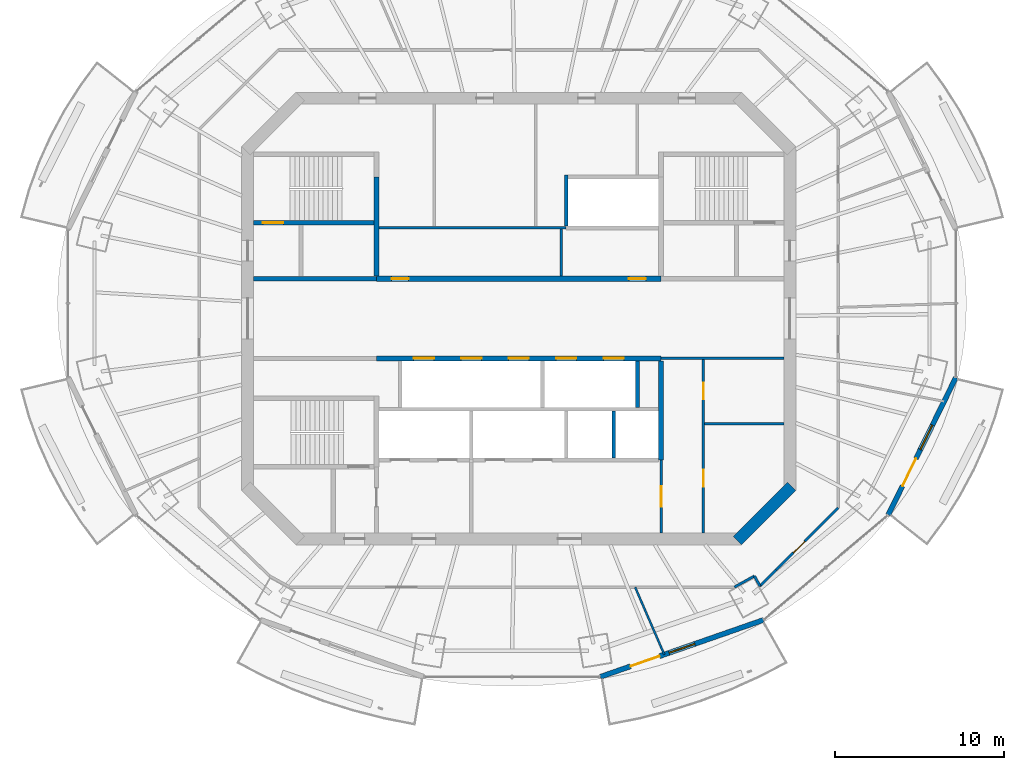
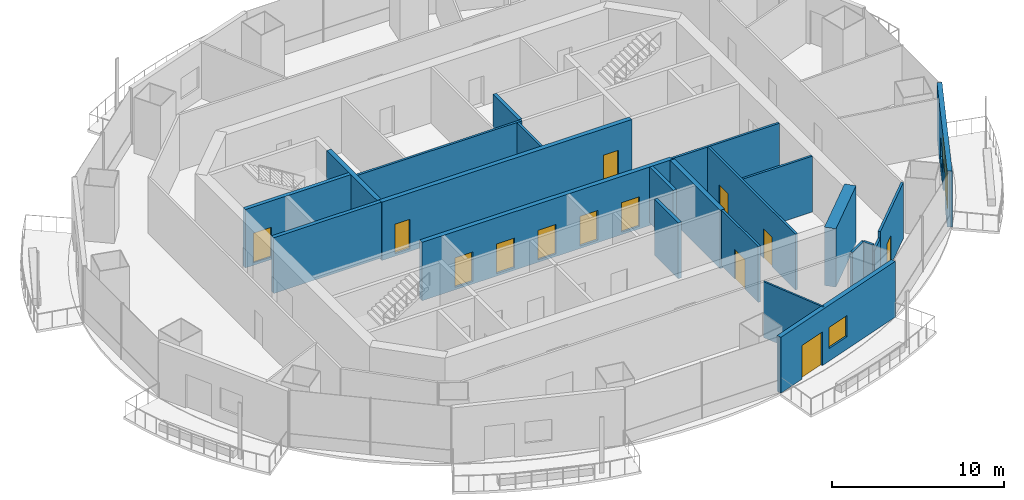
# One storey, part 9 of 16: 23 walls, 14 doors, 2 windows, 16 openings.
"""IFC4 building model written with IfcOpenShell, lengths in metres."""

from ifc_helpers import new_model, si_unit, direction, frame, frame_2d, origin, place, context, subcontext, project, spatial, rectangle, extrude, material, layer, layer_set, type_object, element, fill, save


model = new_model("IFC4")

# Units and contexts
model_context = context("Model", 3, precision=1e-05, world=origin(), true_north=direction((0.0, 1.0)))
body_context = subcontext(model_context, "Body", "Model", "MODEL_VIEW")
ifc_project = project(units=[si_unit("LENGTHUNIT", "METRE"), si_unit("AREAUNIT", "SQUARE_METRE"), si_unit("VOLUMEUNIT", "CUBIC_METRE"), si_unit("PLANEANGLEUNIT", "RADIAN"), si_unit("MASSUNIT", "GRAM", prefix="KILO")], contexts=[model_context])

# Site, building, storey
site_placement = place(None, origin())
site = spatial("IfcSite", under=ifc_project, at=site_placement, CompositionType="ELEMENT")
building_placement = place(site_placement, origin())
building = spatial("IfcBuilding", under=site, at=building_placement, Name="Marenthal Gate Tower", CompositionType="ELEMENT")
storey_placement = place(building_placement, frame((0.0, 0.0, 346.75)))
storey = spatial("IfcBuildingStorey", under=building, at=storey_placement, Name="L78", CompositionType="ELEMENT", Elevation=346.75)

# Wall
ifc_material_1 = material(Name="Concrete 60 MPa", Category="concrete")
ifc_layer_1 = layer(ifc_material_1, 0.699951171875)
ifc_layer_set_1 = layer_set([ifc_layer_1], Name="Core shear wall 700")
wall_type_1 = type_object("IfcWallType", Name="Core shear wall 700", PredefinedType="SHEAR", material=ifc_layer_set_1)
wall_1_placement = place(storey_placement, frame((12.8974609375, -13.1025390625, -0.179931640625), z_axis=(0.0, 0.0, 1.0), x_axis=(0.707106781187, 0.707106781187, 0.0)))
element("IfcWall", 1, at=wall_1_placement, inside=storey, type_object=wall_type_1, Name="Core wall 01", PredefinedType="SHEAR", context=body_context, shape_type="SweptSolid", body=[
    extrude(rectangle(XDim=4.53271484375, YDim=0.699951171875, at=frame_2d((2.266357421875, 0.0))), origin(), (0.0, 0.0, 1.0), 4.14990234375),
])

# Wall, openings, doors
ifc_material_2 = material(Name="Concrete 50 MPa", Category="concrete")
ifc_layer_2 = layer(ifc_material_2, 0.300048828125)
ifc_layer_set_2 = layer_set([ifc_layer_2], Name="Hoistway shear wall 300")
wall_type_2 = type_object("IfcWallType", Name="Hoistway shear wall 300", PredefinedType="SHEAR", material=ifc_layer_set_2)
wall_2_placement = place(storey_placement, frame((-8.39990234375, -2.35009765625, -0.179931640625), z_axis=(0.0, 0.0, 1.0), x_axis=(1.0, 0.0, 0.0)))
wall_2 = element("IfcWall", 2, at=wall_2_placement, inside=storey, type_object=wall_type_2, Name="Hoistway wall 16", PredefinedType="SHEAR", context=body_context, shape_type="SweptSolid", body=[
    extrude(rectangle(XDim=16.7998046875, YDim=0.300048828125, at=frame_2d((8.39990234375, 0.0))), origin(), (0.0, 0.0, 1.0), 4.14990234375),
])
opening_1_placement = place(wall_2_placement, frame((2.199951171875, 0.0, 0.179931640625)))
opening_1 = element("IfcOpeningElement", 3, at=opening_1_placement, cuts=wall_2, Name="Opening LD-HP1", PredefinedType="OPENING", context=body_context, shape_type="SweptSolid", body=[
    extrude(rectangle(XDim=1.199951171875, YDim=2.10009765625, at=frame_2d((0.60009765625, 1.050048828125))), frame((0.0, 0.16015625, 0.0), z_axis=(0.0, -1.0, 0.0), x_axis=(1.0, 0.0, 0.0)), (0.0, 0.0, 1.0), 0.320068359375),
])
opening_2_placement = place(wall_2_placement, frame((5.0, 0.0, 0.179931640625)))
opening_2 = element("IfcOpeningElement", 4, at=opening_2_placement, cuts=wall_2, Name="Opening LD-HP2", PredefinedType="OPENING", context=body_context, shape_type="SweptSolid", body=[
    extrude(rectangle(XDim=1.199951171875, YDim=2.10009765625, at=frame_2d((0.60009765625, 1.050048828125))), frame((0.0, 0.16015625, 0.0), z_axis=(0.0, -1.0, 0.0), x_axis=(1.0, 0.0, 0.0)), (0.0, 0.0, 1.0), 0.320068359375),
])
opening_3_placement = place(wall_2_placement, frame((7.800048828125, 0.0, 0.179931640625)))
opening_3 = element("IfcOpeningElement", 5, at=opening_3_placement, cuts=wall_2, Name="Opening LD-HP3", PredefinedType="OPENING", context=body_context, shape_type="SweptSolid", body=[
    extrude(rectangle(XDim=1.199951171875, YDim=2.10009765625, at=frame_2d((0.60009765625, 1.050048828125))), frame((0.0, 0.16015625, 0.0), z_axis=(0.0, -1.0, 0.0), x_axis=(1.0, 0.0, 0.0)), (0.0, 0.0, 1.0), 0.320068359375),
])
opening_4_placement = place(wall_2_placement, frame((10.60009765625, 0.0, 0.179931640625)))
opening_4 = element("IfcOpeningElement", 6, at=opening_4_placement, cuts=wall_2, Name="Opening LD-HP4", PredefinedType="OPENING", context=body_context, shape_type="SweptSolid", body=[
    extrude(rectangle(XDim=1.199951171875, YDim=2.10009765625, at=frame_2d((0.60009765625, 1.050048828125))), frame((0.0, 0.16015625, 0.0), z_axis=(0.0, -1.0, 0.0), x_axis=(1.0, 0.0, 0.0)), (0.0, 0.0, 1.0), 0.320068359375),
])
opening_5_placement = place(wall_2_placement, frame((13.39990234375, 0.0, 0.179931640625)))
opening_5 = element("IfcOpeningElement", 7, at=opening_5_placement, cuts=wall_2, Name="Opening LD-HP5", PredefinedType="OPENING", context=body_context, shape_type="SweptSolid", body=[
    extrude(rectangle(XDim=1.199951171875, YDim=2.10009765625, at=frame_2d((0.60009765625, 1.050048828125))), frame((0.0, 0.16015625, 0.0), z_axis=(0.0, -1.0, 0.0), x_axis=(1.0, 0.0, 0.0)), (0.0, 0.0, 1.0), 0.320068359375),
])
ifc_material_3 = material(Name="Stainless steel sliding door", Category="steel")
door_type_1 = type_object("IfcDoorType", Name="Lift landing door FD 90 1200 x 2100", OperationType="DOUBLE_DOOR_SLIDING", PredefinedType="DOOR", material=ifc_material_3)
door_1_placement = place(opening_1_placement, origin())
door_1 = element("IfcDoor", 8, at=door_1_placement, inside=storey, type_object=door_type_1, Name="Lift landing door HP1", OperationType="DOUBLE_DOOR_SLIDING", OverallHeight=2.10009765625, OverallWidth=1.199951171875, PredefinedType="DOOR", context=body_context, shape_type="SweptSolid", body=[
    extrude(rectangle(XDim=1.199951171875, YDim=2.10009765625, at=frame_2d((0.60009765625, 1.050048828125))), frame((0.0, 0.02490234375, 0.0), z_axis=(0.0, -1.0, 0.0), x_axis=(1.0, 0.0, 0.0)), (0.0, 0.0, 1.0), 0.050048828125),
])
fill(opening_1, door_1)
door_2_placement = place(opening_2_placement, origin())
door_2 = element("IfcDoor", 9, at=door_2_placement, inside=storey, type_object=door_type_1, Name="Lift landing door HP2", OperationType="DOUBLE_DOOR_SLIDING", OverallHeight=2.10009765625, OverallWidth=1.199951171875, PredefinedType="DOOR", context=body_context, shape_type="SweptSolid", body=[
    extrude(rectangle(XDim=1.199951171875, YDim=2.10009765625, at=frame_2d((0.60009765625, 1.050048828125))), frame((0.0, 0.02490234375, 0.0), z_axis=(0.0, -1.0, 0.0), x_axis=(1.0, 0.0, 0.0)), (0.0, 0.0, 1.0), 0.050048828125),
])
fill(opening_2, door_2)
door_3_placement = place(opening_3_placement, origin())
door_3 = element("IfcDoor", 10, at=door_3_placement, inside=storey, type_object=door_type_1, Name="Lift landing door HP3", OperationType="DOUBLE_DOOR_SLIDING", OverallHeight=2.10009765625, OverallWidth=1.199951171875, PredefinedType="DOOR", context=body_context, shape_type="SweptSolid", body=[
    extrude(rectangle(XDim=1.199951171875, YDim=2.10009765625, at=frame_2d((0.60009765625, 1.050048828125))), frame((0.0, 0.02490234375, 0.0), z_axis=(0.0, -1.0, 0.0), x_axis=(1.0, 0.0, 0.0)), (0.0, 0.0, 1.0), 0.050048828125),
])
fill(opening_3, door_3)
door_4_placement = place(opening_4_placement, origin())
door_4 = element("IfcDoor", 11, at=door_4_placement, inside=storey, type_object=door_type_1, Name="Lift landing door HP4", OperationType="DOUBLE_DOOR_SLIDING", OverallHeight=2.10009765625, OverallWidth=1.199951171875, PredefinedType="DOOR", context=body_context, shape_type="SweptSolid", body=[
    extrude(rectangle(XDim=1.199951171875, YDim=2.10009765625, at=frame_2d((0.60009765625, 1.050048828125))), frame((0.0, 0.02490234375, 0.0), z_axis=(0.0, -1.0, 0.0), x_axis=(1.0, 0.0, 0.0)), (0.0, 0.0, 1.0), 0.050048828125),
])
fill(opening_4, door_4)
door_5_placement = place(opening_5_placement, origin())
door_5 = element("IfcDoor", 12, at=door_5_placement, inside=storey, type_object=door_type_1, Name="Lift landing door HP5", OperationType="DOUBLE_DOOR_SLIDING", OverallHeight=2.10009765625, OverallWidth=1.199951171875, PredefinedType="DOOR", context=body_context, shape_type="SweptSolid", body=[
    extrude(rectangle(XDim=1.199951171875, YDim=2.10009765625, at=frame_2d((0.60009765625, 1.050048828125))), frame((0.0, 0.02490234375, 0.0), z_axis=(0.0, -1.0, 0.0), x_axis=(1.0, 0.0, 0.0)), (0.0, 0.0, 1.0), 0.050048828125),
])
fill(opening_5, door_5)

wall_3_placement = place(storey_placement, frame((-8.39990234375, 2.35009765625, -0.179931640625), z_axis=(0.0, 0.0, 1.0), x_axis=(1.0, 0.0, 0.0)))
wall_3 = element("IfcWall", 13, at=wall_3_placement, inside=storey, type_object=wall_type_2, Name="Hoistway wall 19", PredefinedType="SHEAR", context=body_context, shape_type="SweptSolid", body=[
    extrude(rectangle(XDim=16.7998046875, YDim=0.300048828125, at=frame_2d((8.39990234375, 0.0))), origin(), (0.0, 0.0, 1.0), 4.14990234375),
])
opening_6_placement = place(wall_3_placement, frame((0.89990234375, 0.0, 0.179931640625)))
opening_6 = element("IfcOpeningElement", 14, at=opening_6_placement, cuts=wall_3, Name="Opening D005.01", PredefinedType="OPENING", context=body_context, shape_type="SweptSolid", body=[
    extrude(rectangle(XDim=1.0, YDim=2.10009765625, at=frame_2d((0.5, 1.050048828125))), frame((0.0, 0.16015625, 0.0), z_axis=(0.0, -1.0, 0.0), x_axis=(1.0, 0.0, 0.0)), (0.0, 0.0, 1.0), 0.320068359375),
])
opening_7_placement = place(wall_3_placement, frame((14.89990234375, 0.0, 0.179931640625)))
opening_7 = element("IfcOpeningElement", 15, at=opening_7_placement, cuts=wall_3, Name="Opening D005.02", PredefinedType="OPENING", context=body_context, shape_type="SweptSolid", body=[
    extrude(rectangle(XDim=1.0, YDim=2.10009765625, at=frame_2d((0.5, 1.050048828125))), frame((0.0, 0.16015625, 0.0), z_axis=(0.0, -1.0, 0.0), x_axis=(1.0, 0.0, 0.0)), (0.0, 0.0, 1.0), 0.320068359375),
])
ifc_material_4 = material(Name="Steel fire door", Category="steel")
door_type_2 = type_object("IfcDoorType", Name="Fire door FD 45 1000 x 2100", OperationType="NOTDEFINED", PredefinedType="DOOR", material=ifc_material_4)
door_6_placement = place(opening_6_placement, origin())
door_6 = element("IfcDoor", 16, at=door_6_placement, inside=storey, type_object=door_type_2, Name="Door D005.01", OperationType="SINGLE_SWING_RIGHT", OverallHeight=2.10009765625, OverallWidth=1.0, PredefinedType="DOOR", context=body_context, shape_type="SweptSolid", body=[
    extrude(rectangle(XDim=1.0, YDim=2.10009765625, at=frame_2d((0.5, 1.050048828125))), frame((0.0, 0.02490234375, 0.0), z_axis=(0.0, -1.0, 0.0), x_axis=(1.0, 0.0, 0.0)), (0.0, 0.0, 1.0), 0.050048828125),
])
fill(opening_6, door_6)
door_7_placement = place(opening_7_placement, origin())
door_7 = element("IfcDoor", 17, at=door_7_placement, inside=storey, type_object=door_type_2, Name="Door D005.02", OperationType="SINGLE_SWING_RIGHT", OverallHeight=2.10009765625, OverallWidth=1.0, PredefinedType="DOOR", context=body_context, shape_type="SweptSolid", body=[
    extrude(rectangle(XDim=1.0, YDim=2.10009765625, at=frame_2d((0.5, 1.050048828125))), frame((0.0, 0.02490234375, 0.0), z_axis=(0.0, -1.0, 0.0), x_axis=(1.0, 0.0, 0.0)), (0.0, 0.0, 1.0), 0.050048828125),
])
fill(opening_7, door_7)

# Walls
for number, where, z_axis, x_axis, name in (
    (18, (-8.39990234375, 2.5, -0.179931640625), (0.0, 0.0, 1.0), (0.0, 1.0, 0.0), "Hoistway wall 32"),
    (19, (8.39990234375, -8.35009765625, -0.179931640625), (0.0, 0.0, 1.0), (0.0, 1.0, 0.0), "Hoistway wall 47"),
):
    element("IfcWall", number, at=place(storey_placement, frame(where, z_axis=z_axis, x_axis=x_axis)), inside=storey, type_object=wall_type_2, Name=name, PredefinedType="SHEAR", context=body_context, shape_type="SweptSolid", body=[
        extrude(rectangle(XDim=5.85009765625, YDim=0.300048828125, at=frame_2d((2.925048828125, 0.0))), origin(), (0.0, 0.0, 1.0), 4.14990234375),
    ])
ifc_material_5 = material(Name="Concrete 40 MPa", Category="concrete")
ifc_layer_3 = layer(ifc_material_5, 0.219970703125)
ifc_layer_set_3 = layer_set([ifc_layer_3], Name="Hoistway wall 220")
wall_type_3 = type_object("IfcWallType", Name="Hoistway wall 220", PredefinedType="STANDARD", material=ifc_layer_set_3)
wall_4_placement = place(storey_placement, frame((2.800048828125, 5.4599609375, 0.0), z_axis=(0.0, 0.0, 1.0), x_axis=(0.0, 1.0, 0.0)))
element("IfcWall", 20, at=wall_4_placement, inside=storey, type_object=wall_type_3, Name="Hoistway wall 42", PredefinedType="STANDARD", context=body_context, shape_type="SweptSolid", body=[
    extrude(rectangle(XDim=3.0, YDim=0.219970703125, at=frame_2d((1.5, 0.0))), origin(), (0.0, 0.0, 1.0), 3.969970703125),
])
wall_5_placement = place(storey_placement, frame((5.60009765625, -8.239990234375, 0.0), z_axis=(0.0, 0.0, 1.0), x_axis=(0.0, 1.0, 0.0)))
element("IfcWall", 21, at=wall_5_placement, inside=storey, type_object=wall_type_3, Name="Hoistway wall 43", PredefinedType="STANDARD", context=body_context, shape_type="SweptSolid", body=[
    extrude(rectangle(XDim=2.780029296875, YDim=0.219970703125, at=frame_2d((1.39013671875, 0.0))), origin(), (0.0, 0.0, 1.0), 3.969970703125),
])
wall_6_placement = place(storey_placement, frame((7.0, -5.239990234375, 0.0), z_axis=(0.0, 0.0, 1.0), x_axis=(0.0, 1.0, 0.0)))
element("IfcWall", 22, at=wall_6_placement, inside=storey, type_object=wall_type_3, Name="Hoistway wall 44", PredefinedType="STANDARD", context=body_context, shape_type="SweptSolid", body=[
    extrude(rectangle(XDim=2.739990234375, YDim=0.219970703125, at=frame_2d((1.3701171875, 0.0))), origin(), (0.0, 0.0, 1.0), 3.969970703125),
])
ifc_material_6 = material(Name="Gypsum board on steel studs", Category="steel")
ifc_layer_4 = layer(ifc_material_6, 0.1201171875)
ifc_layer_set_4 = layer_set([ifc_layer_4], Name="Partition 120")
wall_type_4 = type_object("IfcWallType", Name="Partition 120", PredefinedType="PARTITIONING", material=ifc_layer_set_4)
wall_7_placement = place(storey_placement, frame((6.86474609375, -15.85009765625, 0.0), z_axis=(0.0, 0.0, 1.0), x_axis=(0.397444614723, -0.917626164747, 0.0)))
element("IfcWall", 23, at=wall_7_placement, inside=storey, type_object=wall_type_4, Name="Partition wall 60", PredefinedType="PARTITIONING", context=body_context, shape_type="SweptSolid", body=[
    extrude(rectangle(XDim=4.334228515625, YDim=0.1201171875, at=frame_2d((2.1669921875, 0.0))), origin(), (0.0, 0.0, 1.0), 3.969970703125),
])
ifc_material_7 = material(Name="Gypsum board on steel studs", Category="steel")
ifc_layer_5 = layer(ifc_material_7, 0.14990234375)
ifc_layer_set_5 = layer_set([ifc_layer_5], Name="Partition 150")
wall_type_5 = type_object("IfcWallType", Name="Partition 150", PredefinedType="PARTITIONING", material=ifc_layer_set_5)
wall_8_placement = place(storey_placement, frame((10.97509765625, -6.199951171875, 0.0), z_axis=(0.0, 0.0, 1.0), x_axis=(1.0, 0.0, 0.0)))
element("IfcWall", 24, at=wall_8_placement, inside=storey, type_object=wall_type_5, Name="Partition wall 12", PredefinedType="PARTITIONING", context=body_context, shape_type="SweptSolid", body=[
    extrude(rectangle(XDim=4.6748046875, YDim=0.14990234375, at=frame_2d((2.33740234375, 0.0))), origin(), (0.0, 0.0, 1.0), 3.969970703125),
])
wall_9_placement = place(storey_placement, frame((8.39990234375, -2.35009765625, 0.0), z_axis=(0.0, 0.0, 1.0), x_axis=(1.0, 0.0, 0.0)))
element("IfcWall", 25, at=wall_9_placement, inside=storey, type_object=wall_type_5, Name="Partition wall 17", PredefinedType="PARTITIONING", context=body_context, shape_type="SweptSolid", body=[
    extrude(rectangle(XDim=7.25, YDim=0.14990234375, at=frame_2d((3.625, 0.0))), origin(), (0.0, 0.0, 1.0), 3.969970703125),
])
wall_10_placement = place(storey_placement, frame((-8.25, 5.35009765625, 0.0), z_axis=(0.0, 0.0, 1.0), x_axis=(1.0, 0.0, 0.0)))
element("IfcWall", 26, at=wall_10_placement, inside=storey, type_object=wall_type_5, Name="Partition wall 21", PredefinedType="PARTITIONING", context=body_context, shape_type="SweptSolid", body=[
    extrude(rectangle(XDim=11.050048828125, YDim=0.14990234375, at=frame_2d((5.52490234375, 0.0))), origin(), (0.0, 0.0, 1.0), 3.969970703125),
])
wall_11_placement = place(storey_placement, frame((2.52001953125, 2.5, 0.0), z_axis=(0.0, 0.0, 1.0), x_axis=(0.0, 1.0, 0.0)))
element("IfcWall", 27, at=wall_11_placement, inside=storey, type_object=wall_type_5, Name="Partition wall 40", PredefinedType="PARTITIONING", context=body_context, shape_type="SweptSolid", body=[
    extrude(rectangle(XDim=2.77490234375, YDim=0.14990234375, at=frame_2d((1.387451171875, 0.0))), origin(), (0.0, 0.0, 1.0), 3.969970703125),
])

# Wall, opening, door
wall_12_placement = place(storey_placement, frame((8.39990234375, -12.64990234375, 0.0), z_axis=(0.0, 0.0, 1.0), x_axis=(0.0, 1.0, 0.0)))
wall_12 = element("IfcWall", 28, at=wall_12_placement, inside=storey, type_object=wall_type_5, Name="Partition wall 46", PredefinedType="PARTITIONING", context=body_context, shape_type="SweptSolid", body=[
    extrude(rectangle(XDim=4.2998046875, YDim=0.14990234375, at=frame_2d((2.14990234375, 0.0))), origin(), (0.0, 0.0, 1.0), 3.969970703125),
])
opening_8_placement = place(wall_12_placement, frame((1.550048828125, 0.0, 0.0)))
opening_8 = element("IfcOpeningElement", 29, at=opening_8_placement, cuts=wall_12, Name="Opening D006.01", PredefinedType="OPENING", context=body_context, shape_type="SweptSolid", body=[
    extrude(rectangle(XDim=1.199951171875, YDim=2.10009765625, at=frame_2d((0.60009765625, 1.050048828125))), frame((0.0, 0.0849609375, 0.0), z_axis=(0.0, -1.0, 0.0), x_axis=(1.0, 0.0, 0.0)), (0.0, 0.0, 1.0), 0.169921875),
])
ifc_material_8 = material(Name="Steel fire door", Category="steel")
door_type_3 = type_object("IfcDoorType", Name="Fire door FD 45 1200 x 2100", OperationType="NOTDEFINED", PredefinedType="DOOR", material=ifc_material_8)
door_8_placement = place(opening_8_placement, frame((1.199951171875, 0.0, 0.0), z_axis=(0.0, 0.0, 1.0), x_axis=(-1.0, 0.0, 0.0)))
door_8 = element("IfcDoor", 30, at=door_8_placement, inside=storey, type_object=door_type_3, Name="Door D006.01", OperationType="SINGLE_SWING_LEFT", OverallHeight=2.10009765625, OverallWidth=1.199951171875, PredefinedType="DOOR", context=body_context, shape_type="SweptSolid", body=[
    extrude(rectangle(XDim=1.199951171875, YDim=2.10009765625, at=frame_2d((0.60009765625, 1.050048828125))), frame((0.0, 0.02490234375, 0.0), z_axis=(0.0, -1.0, 0.0), x_axis=(1.0, 0.0, 0.0)), (0.0, 0.0, 1.0), 0.050048828125),
])
fill(opening_8, door_8)

# Wall, openings, doors
wall_13_placement = place(storey_placement, frame((10.89990234375, -12.64990234375, 0.0), z_axis=(0.0, 0.0, 1.0), x_axis=(0.0, 1.0, 0.0)))
wall_13 = element("IfcWall", 31, at=wall_13_placement, inside=storey, type_object=wall_type_5, Name="Partition wall 50", PredefinedType="PARTITIONING", context=body_context, shape_type="SweptSolid", body=[
    extrude(rectangle(XDim=10.224853515625, YDim=0.14990234375, at=frame_2d((5.1123046875, 0.0))), origin(), (0.0, 0.0, 1.0), 3.969970703125),
])
opening_9_placement = place(wall_13_placement, frame((7.875, 0.0, 0.0)))
opening_9 = element("IfcOpeningElement", 32, at=opening_9_placement, cuts=wall_13, Name="Opening D005.07", PredefinedType="OPENING", context=body_context, shape_type="SweptSolid", body=[
    extrude(rectangle(XDim=1.0, YDim=2.10009765625, at=frame_2d((0.5, 1.050048828125))), frame((0.0, 0.0849609375, 0.0), z_axis=(0.0, -1.0, 0.0), x_axis=(1.0, 0.0, 0.0)), (0.0, 0.0, 1.0), 0.169921875),
])
opening_10_placement = place(wall_13_placement, frame((2.72509765625, 0.0, 0.0)))
opening_10 = element("IfcOpeningElement", 33, at=opening_10_placement, cuts=wall_13, Name="Opening D005.08", PredefinedType="OPENING", context=body_context, shape_type="SweptSolid", body=[
    extrude(rectangle(XDim=1.0, YDim=2.10009765625, at=frame_2d((0.5, 1.050048828125))), frame((0.0, 0.0849609375, 0.0), z_axis=(0.0, -1.0, 0.0), x_axis=(1.0, 0.0, 0.0)), (0.0, 0.0, 1.0), 0.169921875),
])
door_9_placement = place(opening_9_placement, frame((1.0, 0.0, 0.0), z_axis=(0.0, 0.0, 1.0), x_axis=(-1.0, 0.0, 0.0)))
door_9 = element("IfcDoor", 34, at=door_9_placement, inside=storey, type_object=door_type_2, Name="Door D005.07", OperationType="SINGLE_SWING_LEFT", OverallHeight=2.10009765625, OverallWidth=1.0, PredefinedType="DOOR", context=body_context, shape_type="SweptSolid", body=[
    extrude(rectangle(XDim=1.0, YDim=2.10009765625, at=frame_2d((0.5, 1.050048828125))), frame((0.0, 0.02490234375, 0.0), z_axis=(0.0, -1.0, 0.0), x_axis=(1.0, 0.0, 0.0)), (0.0, 0.0, 1.0), 0.050048828125),
])
fill(opening_9, door_9)
door_10_placement = place(opening_10_placement, frame((1.0, 0.0, 0.0), z_axis=(0.0, 0.0, 1.0), x_axis=(-1.0, 0.0, 0.0)))
door_10 = element("IfcDoor", 35, at=door_10_placement, inside=storey, type_object=door_type_2, Name="Door D005.08", OperationType="SINGLE_SWING_LEFT", OverallHeight=2.10009765625, OverallWidth=1.0, PredefinedType="DOOR", context=body_context, shape_type="SweptSolid", body=[
    extrude(rectangle(XDim=1.0, YDim=2.10009765625, at=frame_2d((0.5, 1.050048828125))), frame((0.0, 0.02490234375, 0.0), z_axis=(0.0, -1.0, 0.0), x_axis=(1.0, 0.0, 0.0)), (0.0, 0.0, 1.0), 0.050048828125),
])
fill(opening_10, door_10)

# Walls
wall_14_placement = place(storey_placement, frame((13.906982421875, -15.194580078125, 0.0), z_axis=(0.0, 0.0, 1.0), x_axis=(-0.874071918373, -0.485796543331, 0.0)))
element("IfcWall", 36, at=wall_14_placement, inside=storey, type_object=wall_type_5, Name="Partition wall 63", PredefinedType="PARTITIONING", context=body_context, shape_type="SweptSolid", body=[
    extrude(rectangle(XDim=1.349365234375, YDim=0.14990234375, at=frame_2d((0.6748046875, 0.0))), origin(), (0.0, 0.0, 1.0), 3.969970703125),
])
wall_15_placement = place(storey_placement, frame((14.23876953125, -15.791748046875, 0.0), z_axis=(0.0, 0.0, 1.0), x_axis=(-0.485673274087, 0.874140418261, 0.0)))
element("IfcWall", 37, at=wall_15_placement, inside=storey, type_object=wall_type_5, Name="Partition wall 65", PredefinedType="PARTITIONING", context=body_context, shape_type="SweptSolid", body=[
    extrude(rectangle(XDim=0.68310546875, YDim=0.14990234375, at=frame_2d((0.341552734375, 0.0))), origin(), (0.0, 0.0, 1.0), 3.969970703125),
])

# Wall, opening, door
wall_16_placement = place(storey_placement, frame((18.85009765625, -11.180419921875, 0.0), z_axis=(0.0, 0.0, 1.0), x_axis=(-0.707130380125, -0.707083181461, 0.0)))
wall_16 = element("IfcWall", 38, at=wall_16_placement, inside=storey, type_object=wall_type_5, Name="Partition wall 66", PredefinedType="PARTITIONING", context=body_context, shape_type="SweptSolid", body=[
    extrude(rectangle(XDim=5.172607421875, YDim=0.14990234375, at=frame_2d((2.58642578125, 0.0))), origin(), (0.0, 0.0, 1.0), 3.969970703125),
])
opening_11_placement = place(wall_16_placement, frame((2.785888671875, 0.0, 0.0)))
opening_11 = element("IfcOpeningElement", 39, at=opening_11_placement, cuts=wall_16, Name="Opening D016.05", PredefinedType="OPENING", context=body_context, shape_type="SweptSolid", body=[
    extrude(rectangle(XDim=0.949951171875, YDim=2.10009765625, at=frame_2d((0.47509765625, 1.050048828125))), frame((0.0, 0.0849609375, 0.0), z_axis=(0.0, -1.0, 0.0), x_axis=(1.0, 0.0, 0.0)), (0.0, 0.0, 1.0), 0.169921875),
])
ifc_material_9 = material(Name="Timber door", Category="wood")
door_type_4 = type_object("IfcDoorType", Name="Door 950 x 2100", OperationType="NOTDEFINED", PredefinedType="DOOR", material=ifc_material_9)
door_11_placement = place(opening_11_placement, origin())
door_11 = element("IfcDoor", 40, at=door_11_placement, inside=storey, type_object=door_type_4, Name="Door D016.05", OperationType="SINGLE_SWING_RIGHT", OverallHeight=2.10009765625, OverallWidth=0.949951171875, PredefinedType="DOOR", context=body_context, shape_type="SweptSolid", body=[
    extrude(rectangle(XDim=0.949951171875, YDim=2.10009765625, at=frame_2d((0.47509765625, 1.050048828125))), frame((0.0, 0.02490234375, 0.0), z_axis=(0.0, -1.0, 0.0), x_axis=(1.0, 0.0, 0.0)), (0.0, 0.0, 1.0), 0.050048828125),
])
fill(opening_11, door_11)

# Walls
wall_17_placement = place(storey_placement, frame((15.1923828125, -14.837890625, 0.0), z_axis=(0.0, 0.0, 1.0), x_axis=(-0.70701627152, -0.70719727927, 0.0)))
element("IfcWall", 41, at=wall_17_placement, inside=storey, type_object=wall_type_5, Name="Partition wall 72", PredefinedType="PARTITIONING", context=body_context, shape_type="SweptSolid", body=[
    extrude(rectangle(XDim=1.348876953125, YDim=0.14990234375, at=frame_2d((0.67431640625, 0.0))), origin(), (0.0, 0.0, 1.0), 3.508056640625),
])
ifc_material_10 = material(Name="Concrete 40 MPa", Category="concrete")
ifc_layer_6 = layer(ifc_material_10, 0.25)
ifc_layer_set_6 = layer_set([ifc_layer_6], Name="Stair enclosure wall 250")
wall_type_6 = type_object("IfcWallType", Name="Stair enclosure wall 250", PredefinedType="STANDARD", material=ifc_layer_set_6)
wall_18_placement = place(storey_placement, frame((-15.64990234375, 2.35009765625, 0.0), z_axis=(0.0, 0.0, 1.0), x_axis=(1.0, 0.0, 0.0)))
element("IfcWall", 42, at=wall_18_placement, inside=storey, type_object=wall_type_6, Name="Stair wall 18", PredefinedType="STANDARD", context=body_context, shape_type="SweptSolid", body=[
    extrude(rectangle(XDim=7.25, YDim=0.25, at=frame_2d((3.625, 0.0))), origin(), (0.0, 0.0, 1.0), 3.969970703125),
])

# Wall, opening, door
ifc_material_11 = material(Name="Concrete 50 MPa", Category="concrete")
ifc_layer_7 = layer(ifc_material_11, 0.25)
ifc_layer_set_7 = layer_set([ifc_layer_7], Name="Stair shear wall 250")
wall_type_7 = type_object("IfcWallType", Name="Stair shear wall 250", PredefinedType="SHEAR", material=ifc_layer_set_7)
wall_19_placement = place(storey_placement, frame((-15.64990234375, 5.64990234375, -0.179931640625), z_axis=(0.0, 0.0, 1.0), x_axis=(1.0, 0.0, 0.0)))
wall_19 = element("IfcWall", 43, at=wall_19_placement, inside=storey, type_object=wall_type_7, Name="Stair wall 23", PredefinedType="SHEAR", context=body_context, shape_type="SweptSolid", body=[
    extrude(rectangle(XDim=7.099853515625, YDim=0.25, at=frame_2d((3.5498046875, 0.0))), origin(), (0.0, 0.0, 1.0), 4.14990234375),
])
opening_12_placement = place(wall_19_placement, frame((0.550048828125, 0.0, 0.179931640625)))
opening_12 = element("IfcOpeningElement", 44, at=opening_12_placement, cuts=wall_19, Name="Opening D001.01", PredefinedType="OPENING", context=body_context, shape_type="SweptSolid", body=[
    extrude(rectangle(XDim=1.199951171875, YDim=2.10009765625, at=frame_2d((0.60009765625, 1.050048828125))), frame((0.0, 0.135009765625, 0.0), z_axis=(0.0, -1.0, 0.0), x_axis=(1.0, 0.0, 0.0)), (0.0, 0.0, 1.0), 0.27001953125),
])
ifc_material_12 = material(Name="Steel fire door", Category="steel")
door_type_5 = type_object("IfcDoorType", Name="Fire door FD 90 1200 x 2100", OperationType="NOTDEFINED", PredefinedType="DOOR", material=ifc_material_12)
door_12_placement = place(opening_12_placement, origin())
door_12 = element("IfcDoor", 45, at=door_12_placement, inside=storey, type_object=door_type_5, Name="Door D001.01", OperationType="SINGLE_SWING_RIGHT", OverallHeight=2.10009765625, OverallWidth=1.199951171875, PredefinedType="DOOR", context=body_context, shape_type="SweptSolid", body=[
    extrude(rectangle(XDim=1.199951171875, YDim=2.10009765625, at=frame_2d((0.60009765625, 1.050048828125))), frame((0.0, 0.02490234375, 0.0), z_axis=(0.0, -1.0, 0.0), x_axis=(1.0, 0.0, 0.0)), (0.0, 0.0, 1.0), 0.050048828125),
])
fill(opening_12, door_12)

# Wall, openings, door, window
ifc_material_13 = material(Name="Terracotta cladding on insulated concrete-block backing", Category="masonry")
ifc_layer_8 = layer(ifc_material_13, 0.300048828125)
ifc_layer_set_8 = layer_set([ifc_layer_8], Name="Terracotta facade wall 300")
wall_type_8 = type_object("IfcWallType", Name="Terracotta facade wall 300", PredefinedType="SOLIDWALL", material=ifc_layer_set_8)
wall_20_placement = place(storey_placement, frame((4.810302734375, -21.14404296875, 0.0), z_axis=(0.0, 0.0, 1.0), x_axis=(0.944274972987, 0.329157675576, 0.0)))
wall_20 = element("IfcWall", 46, at=wall_20_placement, inside=storey, type_object=wall_type_8, Name="Terracotta facade wall L78 bay 13", PredefinedType="SOLIDWALL", context=body_context, shape_type="SweptSolid", body=[
    extrude(rectangle(XDim=10.195556640625, YDim=0.300048828125, at=frame_2d((5.09765625, 0.0))), origin(), (0.0, 0.0, 1.0), 3.969970703125),
])
opening_13_placement = place(wall_20_placement, frame((1.89990234375, 0.0, 0.0)))
opening_13 = element("IfcOpeningElement", 47, at=opening_13_placement, cuts=wall_20, Name="Opening BD-L78-13", PredefinedType="OPENING", context=body_context, shape_type="SweptSolid", body=[
    extrude(rectangle(XDim=1.800048828125, YDim=2.39990234375, at=frame_2d((0.89990234375, 1.199951171875))), frame((0.0, 0.16015625, 0.0), z_axis=(0.0, -1.0, 0.0), x_axis=(1.0, 0.0, 0.0)), (0.0, 0.0, 1.0), 0.320068359375),
])
opening_14_placement = place(wall_20_placement, frame((4.300048828125, 0.0, 0.89990234375)))
opening_14 = element("IfcOpeningElement", 48, at=opening_14_placement, cuts=wall_20, Name="Opening WN3-L78-13", PredefinedType="OPENING", context=body_context, shape_type="SweptSolid", body=[
    extrude(rectangle(XDim=1.60009765625, YDim=1.5, at=frame_2d((0.800048828125, 0.75))), frame((0.0, 0.16015625, 0.0), z_axis=(0.0, -1.0, 0.0), x_axis=(1.0, 0.0, 0.0)), (0.0, 0.0, 1.0), 0.320068359375),
])
ifc_material_14 = material(Name="Aluminium and glass", Category="aluminium")
door_type_6 = type_object("IfcDoorType", Name="Balcony door 1800x2400", OperationType="DOUBLE_DOOR_SINGLE_SWING", PredefinedType="DOOR", material=ifc_material_14)
door_13_placement = place(opening_13_placement, origin())
door_13 = element("IfcDoor", 49, at=door_13_placement, inside=storey, type_object=door_type_6, Name="Balcony door L78 bay 13", OperationType="SINGLE_SWING_LEFT", OverallHeight=2.39990234375, OverallWidth=1.800048828125, PredefinedType="DOOR", context=body_context, shape_type="SweptSolid", body=[
    extrude(rectangle(XDim=1.800048828125, YDim=2.39990234375, at=frame_2d((0.89990234375, 1.199951171875))), frame((0.0, 0.02490234375, 0.0), z_axis=(0.0, -1.0, 0.0), x_axis=(1.0, 0.0, 0.0)), (0.0, 0.0, 1.0), 0.050048828125),
])
fill(opening_13, door_13)
ifc_material_15 = material(Name="Aluminium and glass", Category="aluminium")
window_type = type_object("IfcWindowType", Name="Window 1600x1500", PartitioningType="DOUBLE_PANEL_VERTICAL", PredefinedType="WINDOW", material=ifc_material_15)
window_1_placement = place(opening_14_placement, origin())
window_1 = element("IfcWindow", 50, at=window_1_placement, inside=storey, type_object=window_type, Name="Window L78 bay 13", OverallHeight=1.5, OverallWidth=1.60009765625, PartitioningType="SINGLE_PANEL", PredefinedType="WINDOW", context=body_context, shape_type="SweptSolid", body=[
    extrude(rectangle(XDim=1.60009765625, YDim=1.5, at=frame_2d((0.800048828125, 0.75))), frame((0.0, 0.030029296875, 0.0), z_axis=(0.0, -1.0, 0.0), x_axis=(1.0, 0.0, 0.0)), (0.0, 0.0, 1.0), 0.06005859375),
])
fill(opening_14, window_1)

wall_21_placement = place(storey_placement, frame((21.80615234375, -11.5869140625, 0.0), z_axis=(0.0, 0.0, 1.0), x_axis=(0.441581239579, 0.897221270842, 0.0)))
wall_21 = element("IfcWall", 51, at=wall_21_placement, inside=storey, type_object=wall_type_8, Name="Terracotta facade wall L78 bay 15", PredefinedType="SOLIDWALL", context=body_context, shape_type="SweptSolid", body=[
    extrude(rectangle(XDim=9.0302734375, YDim=0.300048828125, at=frame_2d((4.51513671875, 0.0))), origin(), (0.0, 0.0, 1.0), 3.969970703125),
])
opening_15_placement = place(wall_21_placement, frame((1.89990234375, 0.0, 0.0)))
opening_15 = element("IfcOpeningElement", 52, at=opening_15_placement, cuts=wall_21, Name="Opening BD-L78-15", PredefinedType="OPENING", context=body_context, shape_type="SweptSolid", body=[
    extrude(rectangle(XDim=1.800048828125, YDim=2.39990234375, at=frame_2d((0.89990234375, 1.199951171875))), frame((0.0, 0.16015625, 0.0), z_axis=(0.0, -1.0, 0.0), x_axis=(1.0, 0.0, 0.0)), (0.0, 0.0, 1.0), 0.320068359375),
])
opening_16_placement = place(wall_21_placement, frame((4.300048828125, 0.0, 0.89990234375)))
opening_16 = element("IfcOpeningElement", 53, at=opening_16_placement, cuts=wall_21, Name="Opening WN3-L78-15", PredefinedType="OPENING", context=body_context, shape_type="SweptSolid", body=[
    extrude(rectangle(XDim=1.60009765625, YDim=1.5, at=frame_2d((0.800048828125, 0.75))), frame((0.0, 0.16015625, 0.0), z_axis=(0.0, -1.0, 0.0), x_axis=(1.0, 0.0, 0.0)), (0.0, 0.0, 1.0), 0.320068359375),
])
door_14_placement = place(opening_15_placement, origin())
door_14 = element("IfcDoor", 54, at=door_14_placement, inside=storey, type_object=door_type_6, Name="Balcony door L78 bay 15", OperationType="SINGLE_SWING_LEFT", OverallHeight=2.39990234375, OverallWidth=1.800048828125, PredefinedType="DOOR", context=body_context, shape_type="SweptSolid", body=[
    extrude(rectangle(XDim=1.800048828125, YDim=2.39990234375, at=frame_2d((0.89990234375, 1.199951171875))), frame((0.0, 0.02490234375, 0.0), z_axis=(0.0, -1.0, 0.0), x_axis=(1.0, 0.0, 0.0)), (0.0, 0.0, 1.0), 0.050048828125),
])
fill(opening_15, door_14)
window_2_placement = place(opening_16_placement, origin())
window_2 = element("IfcWindow", 55, at=window_2_placement, inside=storey, type_object=window_type, Name="Window L78 bay 15", OverallHeight=1.5, OverallWidth=1.60009765625, PartitioningType="SINGLE_PANEL", PredefinedType="WINDOW", context=body_context, shape_type="SweptSolid", body=[
    extrude(rectangle(XDim=1.60009765625, YDim=1.5, at=frame_2d((0.800048828125, 0.75))), frame((0.0, 0.030029296875, 0.0), z_axis=(0.0, -1.0, 0.0), x_axis=(1.0, 0.0, 0.0)), (0.0, 0.0, 1.0), 0.06005859375),
])
fill(opening_16, window_2)

save(model, "model.ifc")
